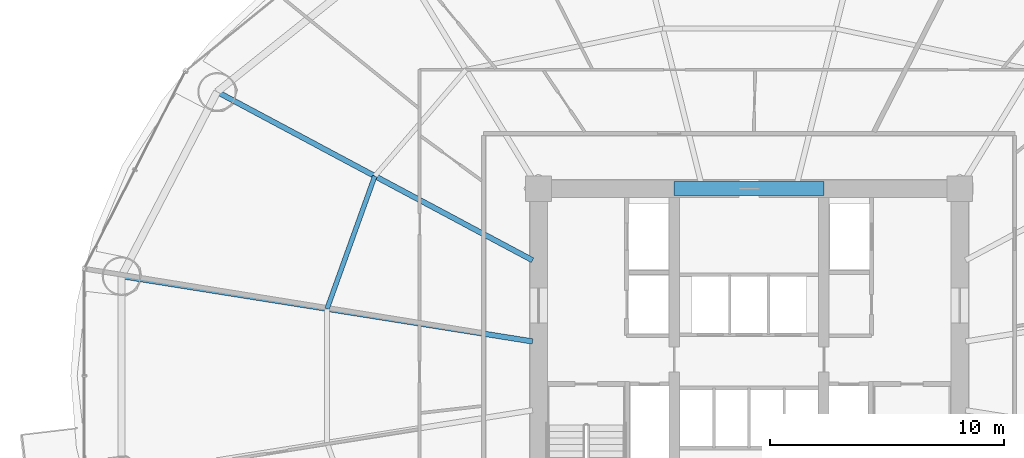
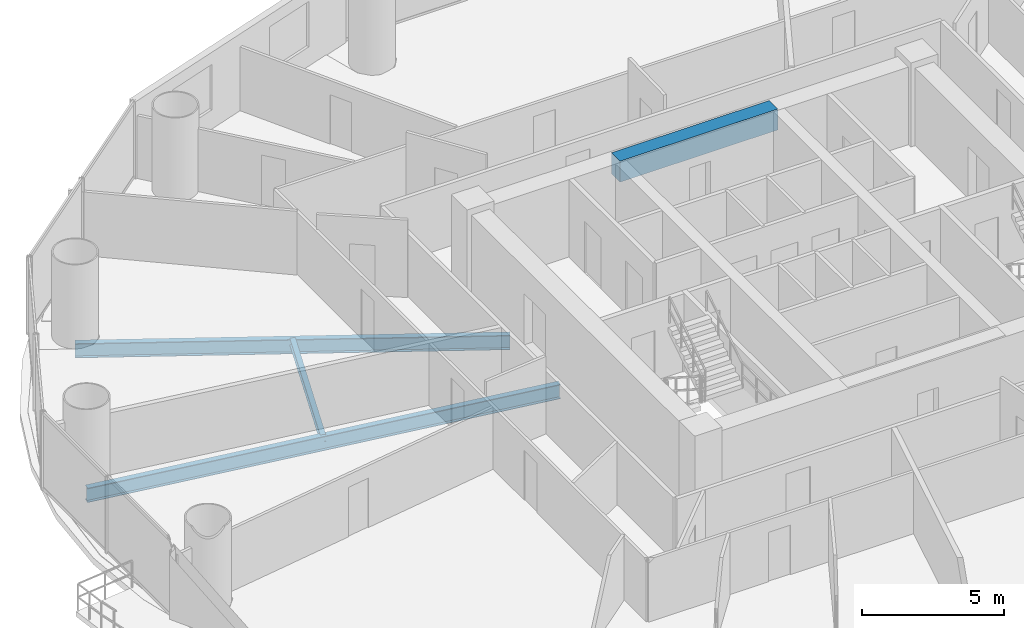
# One storey, part 9 of 30: 4 beams.
"""IFC4 building model written with IfcOpenShell, lengths in metres."""

from ifc_helpers import new_model, si_unit, direction, frame, origin, origin_2d, place, context, subcontext, project, spatial, rectangle, i_section, extrude, material, material_profile, profile_set, type_object, element, save


model = new_model("IFC4")

# Units and contexts
model_context = context("Model", 3, precision=1e-05, world=origin(), true_north=direction((-0.2419218956, 0.970295726276)))
body_context = subcontext(model_context, "Body", "Model", "MODEL_VIEW")
ifc_project = project(units=[si_unit("LENGTHUNIT", "METRE"), si_unit("AREAUNIT", "SQUARE_METRE"), si_unit("VOLUMEUNIT", "CUBIC_METRE"), si_unit("PLANEANGLEUNIT", "RADIAN"), si_unit("MASSUNIT", "GRAM", prefix="KILO")], contexts=[model_context])

# Site, building, storey
site_placement = place(None, origin())
site = spatial("IfcSite", under=ifc_project, at=site_placement, CompositionType="ELEMENT")
building_placement = place(site_placement, origin())
building = spatial("IfcBuilding", under=site, at=building_placement, Name="Cobrevalo Terracotta Tower", CompositionType="ELEMENT")
storey_placement = place(building_placement, frame((0.0, 0.0, 27.60009765625)))
storey = spatial("IfcBuildingStorey", under=building, at=storey_placement, Name="L06", CompositionType="ELEMENT", Elevation=27.60009765625)

# Beams
ifc_material_1 = material(Name="Concrete C60", Category="concrete")
ifc_material_profile_1 = material_profile(ifc_material_1, rectangle(XDim=0.60009765625, YDim=0.89990234375, at=origin_2d()), Name="RC CB 600x900")
ifc_profile_set_1 = profile_set([ifc_material_profile_1], Name="Concrete C60")
beam_type_1 = type_object("IfcBeamType", Name="Structural Beam RC CB 600x900 (Concrete C60)", PredefinedType="BEAM", material=ifc_profile_set_1)
beam_1_placement = place(storey_placement, frame((34.800048828125, 34.800048828125, 2.869873046875), z_axis=(1.0, 0.0, 0.0), x_axis=(0.0, 1.0, 0.0)))
element("IfcBeam", 1, at=beam_1_placement, inside=storey, type_object=beam_type_1, Name="L06 core coupling beam 2", PredefinedType="BEAM", context=body_context, shape_type="SweptSolid", body=[
    extrude(rectangle(XDim=0.60009765625, YDim=0.89990234375, at=origin_2d()), origin(), (0.0, 0.0, 1.0), 6.39990234375),
])
ifc_material_2 = material(Name="Steel S355", Category="steel")
ifc_material_profile_2 = material_profile(ifc_material_2, i_section(OverallWidth=0.22998046875, OverallDepth=0.616943359375, WebThickness=0.01318359375, FlangeThickness=0.022216796875, at=origin_2d()), Name="W 610x140")
ifc_profile_set_2 = profile_set([ifc_material_profile_2], Name="Steel S355")
beam_type_2 = type_object("IfcBeamType", Name="Structural Beam W 610x140 (Steel S355)", PredefinedType="BEAM", material=ifc_profile_set_2)
beam_2_placement = place(storey_placement, frame((15.25927734375, 38.939208984375, -0.588623046875), z_axis=(0.88218223571, -0.470908168329, 0.0), x_axis=(0.470908168329, 0.88218223571, 0.0)))
element("IfcBeam", 2, at=beam_2_placement, inside=storey, type_object=beam_type_2, Name="L06 radial floor girder 07", PredefinedType="BEAM", context=body_context, shape_type="SweptSolid", body=[
    extrude(i_section(OverallWidth=0.22998046875, OverallDepth=0.616943359375, WebThickness=0.01318359375, FlangeThickness=0.022216796875, at=origin_2d()), origin(), (0.0, 0.0, 1.0), 15.286865234375),
])
beam_3_placement = place(storey_placement, frame((11.175537109375, 31.062744140625, -0.588623046875), z_axis=(0.987607924622, -0.156941349628, 0.0), x_axis=(0.156941349628, 0.987607924622, 0.0)))
element("IfcBeam", 3, at=beam_3_placement, inside=storey, type_object=beam_type_2, Name="L06 radial floor girder 08", PredefinedType="BEAM", context=body_context, shape_type="SweptSolid", body=[
    extrude(i_section(OverallWidth=0.22998046875, OverallDepth=0.616943359375, WebThickness=0.01318359375, FlangeThickness=0.022216796875, at=origin_2d()), origin(), (0.0, 0.0, 1.0), 17.7900390625),
])
ifc_material_profile_3 = material_profile(ifc_material_2, i_section(OverallWidth=0.2041015625, OverallDepth=0.305908203125, WebThickness=0.008544921875, FlangeThickness=0.0146484375, at=origin_2d()), Name="W 310x67")
ifc_profile_set_3 = profile_set([ifc_material_profile_3], Name="Steel S355")
beam_type_3 = type_object("IfcBeamType", Name="Structural Joist W 310x67 (Steel S355)", PredefinedType="JOIST", material=ifc_profile_set_3)
beam_4_placement = place(storey_placement, frame((22.002197265625, 35.33984375, -0.43310546875), z_axis=(-0.338672151116, -0.940904444701, 0.0), x_axis=(0.940904444701, -0.338672151116, 0.0)))
element("IfcBeam", 4, at=beam_4_placement, inside=storey, type_object=beam_type_3, Name="L06 circumferential secondary floor joist 07", PredefinedType="JOIST", context=body_context, shape_type="SweptSolid", body=[
    extrude(i_section(OverallWidth=0.2041015625, OverallDepth=0.305908203125, WebThickness=0.008544921875, FlangeThickness=0.0146484375, at=origin_2d()), origin(), (0.0, 0.0, 1.0), 6.029296875),
])

save(model, "model.ifc")
